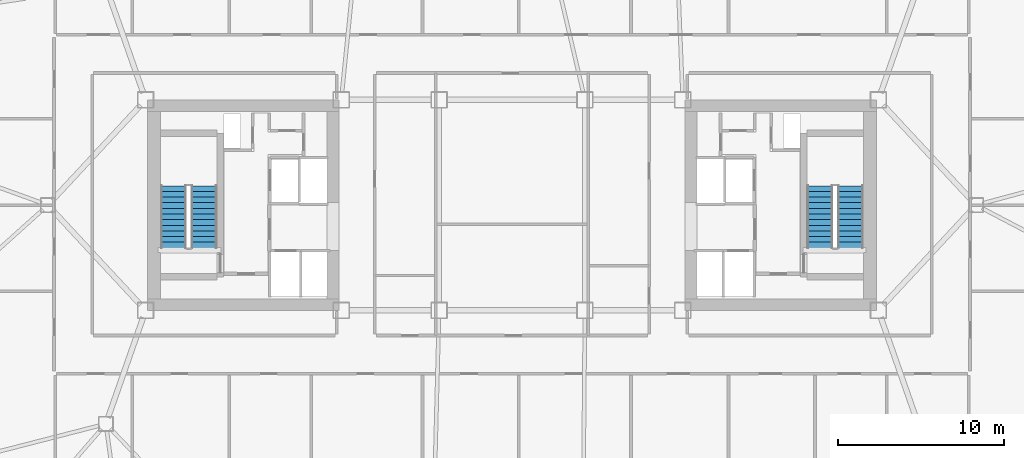
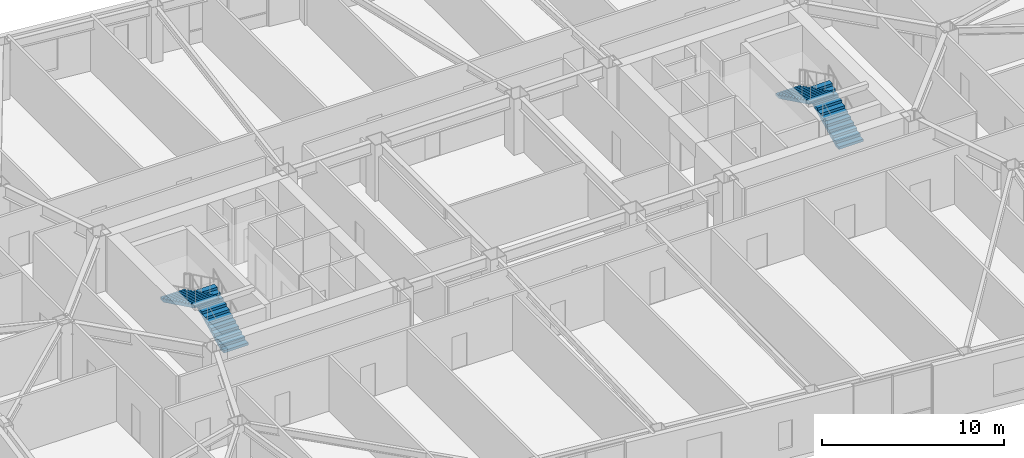
# One storey, part 16 of 21: 4 stair flights, 2 elements without a shape of their own.
"""IFC4 building model written with IfcOpenShell, lengths in metres."""

from ifc_helpers import new_model, si_unit, direction, frame, origin, place, context, subcontext, project, spatial, polyline, outline, extrude, material, type_object, element, aggregate, save


model = new_model("IFC4")

# Units and contexts
model_context = context("Model", 3, precision=1e-05, world=origin(), true_north=direction((0.0, 1.0)))
body_context = subcontext(model_context, "Body", "Model", "MODEL_VIEW")
ifc_project = project(units=[si_unit("LENGTHUNIT", "METRE"), si_unit("AREAUNIT", "SQUARE_METRE"), si_unit("VOLUMEUNIT", "CUBIC_METRE"), si_unit("PLANEANGLEUNIT", "RADIAN"), si_unit("MASSUNIT", "GRAM", prefix="KILO")], contexts=[model_context])

# Site, building, storey
site_placement = place(None, origin())
site = spatial("IfcSite", under=ifc_project, at=site_placement, CompositionType="ELEMENT")
building_placement = place(site_placement, origin())
building = spatial("IfcBuilding", under=site, at=building_placement, Name="Tavrogorsk Clinical Tower", CompositionType="ELEMENT")
storey_placement = place(building_placement, frame((0.0, 0.0, 137.39990234375)))
storey = spatial("IfcBuildingStorey", under=building, at=storey_placement, Name="L31", CompositionType="ELEMENT", Elevation=137.39990234375)

# Stair, stair flights
ifc_material_1 = material(Name="Concrete B60", Category="concrete")
stair_type = type_object("IfcStairType", Name="CoreStairAssembly", PredefinedType="HALF_TURN_STAIR", material=ifc_material_1)
stair_1_placement = place(storey_placement, origin())
stair_1 = element("IfcStair", 1, at=stair_1_placement, inside=storey, type_object=stair_type, Name="L31 ST-W", PredefinedType="HALF_TURN_STAIR")
ifc_material_2 = material(Name="Concrete B60", Category="concrete")
stair_flight_type = type_object("IfcStairFlightType", Name="CoreStairFlight", PredefinedType="STRAIGHT", material=ifc_material_2)
stair_flight_1_placement = place(storey_placement, frame((-18.574951171875, -2.574951171875, 0.0), z_axis=(0.0, 0.0, 1.0), x_axis=(0.0, 1.0, 0.0)))
stair_flight_1 = element("IfcStairFlight", 2, at=stair_flight_1_placement, type_object=stair_flight_type, Name="ST-W flight 1", NumberOfRisers=12, NumberOfTreads=11, PredefinedType="STRAIGHT", RiserHeight=0.166666667, TreadLength=0.34, context=body_context, shape_type="SweptSolid", body=[
    extrude(outline(polyline([(0.0, 0.0), (0.0, 0.166748046875), (0.340087890625, 0.166748046875), (0.340087890625, 0.333251953125), (0.679931640625, 0.333251953125), (0.679931640625, 0.5), (1.02001953125, 0.5), (1.02001953125, 0.666748046875), (1.360107421875, 0.666748046875), (1.360107421875, 0.833251953125), (1.699951171875, 0.833251953125), (1.699951171875, 1.0), (2.0400390625, 1.0), (2.0400390625, 1.166748046875), (2.3798828125, 1.166748046875), (2.3798828125, 1.333251953125), (2.719970703125, 1.333251953125), (2.719970703125, 1.5), (3.06005859375, 1.5), (3.06005859375, 1.666748046875), (3.39990234375, 1.666748046875), (3.39990234375, 1.833251953125), (3.739990234375, 1.833251953125), (3.739990234375, 2.0), (3.739990234375, 1.66650390625), (0.340576171875, 0.0), (0.0, 0.0)])), frame((0.0, 0.77490234375, 0.0), z_axis=(0.0, -1.0, 0.0), x_axis=(1.0, 0.0, 0.0)), (0.0, 0.0, 1.0), 1.550048828125),
])
stair_flight_2_placement = place(storey_placement, frame((-20.425048828125, 1.1650390625, 2.0), z_axis=(0.0, 0.0, 1.0), x_axis=(0.0, -1.0, 0.0)))
stair_flight_2 = element("IfcStairFlight", 3, at=stair_flight_2_placement, type_object=stair_flight_type, Name="ST-W flight 2", NumberOfRisers=12, NumberOfTreads=11, PredefinedType="STRAIGHT", RiserHeight=0.166666667, TreadLength=0.34, context=body_context, shape_type="SweptSolid", body=[
    extrude(outline(polyline([(0.0, 0.0), (0.0, 0.166748046875), (0.340087890625, 0.166748046875), (0.340087890625, 0.333251953125), (0.679931640625, 0.333251953125), (0.679931640625, 0.5), (1.02001953125, 0.5), (1.02001953125, 0.666748046875), (1.360107421875, 0.666748046875), (1.360107421875, 0.833251953125), (1.699951171875, 0.833251953125), (1.699951171875, 1.0), (2.0400390625, 1.0), (2.0400390625, 1.166748046875), (2.3798828125, 1.166748046875), (2.3798828125, 1.333251953125), (2.719970703125, 1.333251953125), (2.719970703125, 1.5), (3.06005859375, 1.5), (3.06005859375, 1.666748046875), (3.39990234375, 1.666748046875), (3.39990234375, 1.833251953125), (3.739990234375, 1.833251953125), (3.739990234375, 2.0), (3.739990234375, 1.66650390625), (0.340576171875, 0.0), (0.0, 0.0)])), frame((0.0, 0.77490234375, 0.0), z_axis=(0.0, -1.0, 0.0), x_axis=(1.0, 0.0, 0.0)), (0.0, 0.0, 1.0), 1.550048828125),
])
aggregate(stair_1, [stair_flight_1, stair_flight_2])

stair_2_placement = place(storey_placement, origin())
stair_2 = element("IfcStair", 4, at=stair_2_placement, inside=storey, type_object=stair_type, Name="L31 ST-E", PredefinedType="HALF_TURN_STAIR")
stair_flight_3_placement = place(storey_placement, frame((20.425048828125, -2.574951171875, 0.0), z_axis=(0.0, 0.0, 1.0), x_axis=(0.0, 1.0, 0.0)))
stair_flight_3 = element("IfcStairFlight", 5, at=stair_flight_3_placement, type_object=stair_flight_type, Name="ST-E flight 1", NumberOfRisers=12, NumberOfTreads=11, PredefinedType="STRAIGHT", RiserHeight=0.166666667, TreadLength=0.34, context=body_context, shape_type="SweptSolid", body=[
    extrude(outline(polyline([(0.0, 0.0), (0.0, 0.166748046875), (0.340087890625, 0.166748046875), (0.340087890625, 0.333251953125), (0.679931640625, 0.333251953125), (0.679931640625, 0.5), (1.02001953125, 0.5), (1.02001953125, 0.666748046875), (1.360107421875, 0.666748046875), (1.360107421875, 0.833251953125), (1.699951171875, 0.833251953125), (1.699951171875, 1.0), (2.0400390625, 1.0), (2.0400390625, 1.166748046875), (2.3798828125, 1.166748046875), (2.3798828125, 1.333251953125), (2.719970703125, 1.333251953125), (2.719970703125, 1.5), (3.06005859375, 1.5), (3.06005859375, 1.666748046875), (3.39990234375, 1.666748046875), (3.39990234375, 1.833251953125), (3.739990234375, 1.833251953125), (3.739990234375, 2.0), (3.739990234375, 1.66650390625), (0.340576171875, 0.0), (0.0, 0.0)])), frame((0.0, 0.77490234375, 0.0), z_axis=(0.0, -1.0, 0.0), x_axis=(1.0, 0.0, 0.0)), (0.0, 0.0, 1.0), 1.550048828125),
])
stair_flight_4_placement = place(storey_placement, frame((18.574951171875, 1.1650390625, 2.0), z_axis=(0.0, 0.0, 1.0), x_axis=(0.0, -1.0, 0.0)))
stair_flight_4 = element("IfcStairFlight", 6, at=stair_flight_4_placement, type_object=stair_flight_type, Name="ST-E flight 2", NumberOfRisers=12, NumberOfTreads=11, PredefinedType="STRAIGHT", RiserHeight=0.166666667, TreadLength=0.34, context=body_context, shape_type="SweptSolid", body=[
    extrude(outline(polyline([(0.0, 0.0), (0.0, 0.166748046875), (0.340087890625, 0.166748046875), (0.340087890625, 0.333251953125), (0.679931640625, 0.333251953125), (0.679931640625, 0.5), (1.02001953125, 0.5), (1.02001953125, 0.666748046875), (1.360107421875, 0.666748046875), (1.360107421875, 0.833251953125), (1.699951171875, 0.833251953125), (1.699951171875, 1.0), (2.0400390625, 1.0), (2.0400390625, 1.166748046875), (2.3798828125, 1.166748046875), (2.3798828125, 1.333251953125), (2.719970703125, 1.333251953125), (2.719970703125, 1.5), (3.06005859375, 1.5), (3.06005859375, 1.666748046875), (3.39990234375, 1.666748046875), (3.39990234375, 1.833251953125), (3.739990234375, 1.833251953125), (3.739990234375, 2.0), (3.739990234375, 1.66650390625), (0.340576171875, 0.0), (0.0, 0.0)])), frame((0.0, 0.77490234375, 0.0), z_axis=(0.0, -1.0, 0.0), x_axis=(1.0, 0.0, 0.0)), (0.0, 0.0, 1.0), 1.550048828125),
])
aggregate(stair_2, [stair_flight_3, stair_flight_4])

save(model, "model.ifc")
